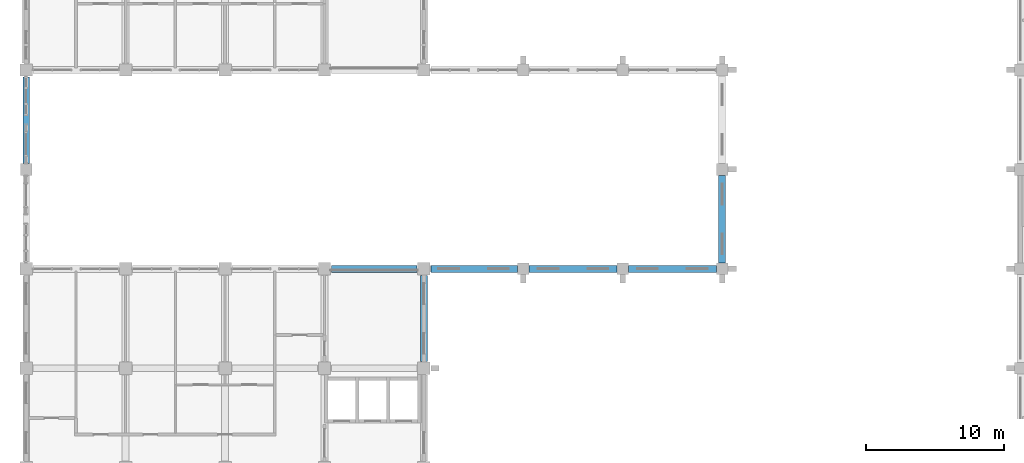
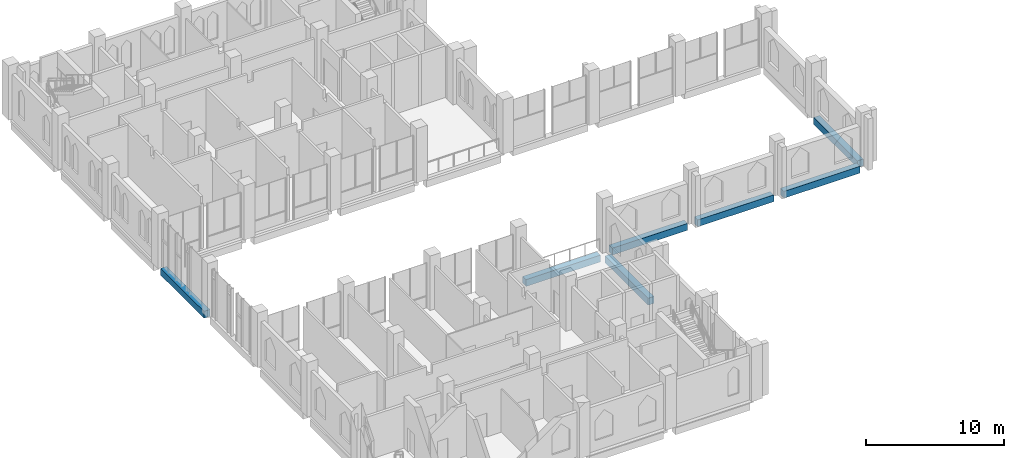
# One storey, part 6 of 40: 7 beams.
"""IFC4 building model written with IfcOpenShell, lengths in metres."""

from ifc_helpers import new_model, si_unit, direction, frame, origin, origin_2d, place, context, subcontext, project, spatial, rectangle, extrude, material, material_profile, profile_set, type_object, element, save


model = new_model("IFC4")

# Units and contexts
model_context = context("Model", 3, precision=1e-05, world=origin(), true_north=direction((0.0, 1.0)))
body_context = subcontext(model_context, "Body", "Model", "MODEL_VIEW")
ifc_project = project(units=[si_unit("LENGTHUNIT", "METRE"), si_unit("AREAUNIT", "SQUARE_METRE"), si_unit("VOLUMEUNIT", "CUBIC_METRE"), si_unit("PLANEANGLEUNIT", "RADIAN"), si_unit("MASSUNIT", "GRAM", prefix="KILO")], contexts=[model_context])

# Site, building, storey
site_placement = place(None, origin())
site = spatial("IfcSite", under=ifc_project, at=site_placement, CompositionType="ELEMENT")
building_placement = place(site_placement, origin())
building = spatial("IfcBuilding", under=site, at=building_placement, Name="Silangan Lancet Faculty of Sciences", CompositionType="ELEMENT")
storey_placement = place(building_placement, frame((0.0, 0.0, 16.800048828125)))
storey = spatial("IfcBuildingStorey", under=building, at=storey_placement, Name="L03", CompositionType="ELEMENT", Elevation=16.800048828125)

# Beams
ifc_material = material(Name="Concrete C40/50", Category="concrete")
ifc_material_profile = material_profile(ifc_material, rectangle(XDim=0.5, YDim=0.60009765625, at=origin_2d()), Name="RC 500x600")
ifc_profile_set = profile_set([ifc_material_profile], Name="Concrete C40/50")
beam_type = type_object("IfcBeamType", Name="BEAM RC 500x600", PredefinedType="BEAM", material=ifc_profile_set)
beam_1_placement = place(storey_placement, frame((22.10009765625, 21.60009765625, -0.550048828125), z_axis=(1.0, 0.0, 0.0), x_axis=(0.0, 1.0, 0.0)))
element("IfcBeam", 1, at=beam_1_placement, inside=storey, type_object=beam_type, Name="BM-L03-4D-5D", PredefinedType="BEAM", context=body_context, shape_type="SweptSolid", body=[
    extrude(rectangle(XDim=0.5, YDim=0.60009765625, at=origin_2d()), origin(), (0.0, 0.0, 1.0), 6.199951171875),
])
beam_2_placement = place(storey_placement, frame((29.300048828125, 21.60009765625, -0.300048828125), z_axis=(1.0, 0.0, 0.0), x_axis=(0.0, 1.0, 0.0)))
element("IfcBeam", 2, at=beam_2_placement, inside=storey, type_object=beam_type, Name="BM-L03-5D-6D", PredefinedType="BEAM", context=body_context, shape_type="SweptSolid", body=[
    extrude(rectangle(XDim=0.5, YDim=0.60009765625, at=origin_2d()), origin(), (0.0, 0.0, 1.0), 6.27490234375),
])
beam_3_placement = place(storey_placement, frame((36.425048828125, 21.60009765625, -0.300048828125), z_axis=(1.0, 0.0, 0.0), x_axis=(0.0, 1.0, 0.0)))
element("IfcBeam", 3, at=beam_3_placement, inside=storey, type_object=beam_type, Name="BM-L03-6D-7D", PredefinedType="BEAM", context=body_context, shape_type="SweptSolid", body=[
    extrude(rectangle(XDim=0.5, YDim=0.60009765625, at=origin_2d()), origin(), (0.0, 0.0, 1.0), 6.349853515625),
])
beam_4_placement = place(storey_placement, frame((43.625, 21.60009765625, -0.300048828125), z_axis=(1.0, 0.0, 0.0), x_axis=(0.0, 1.0, 0.0)))
element("IfcBeam", 4, at=beam_4_placement, inside=storey, type_object=beam_type, Name="BM-L03-7D-8D", PredefinedType="BEAM", context=body_context, shape_type="SweptSolid", body=[
    extrude(rectangle(XDim=0.5, YDim=0.60009765625, at=origin_2d()), origin(), (0.0, 0.0, 1.0), 6.35009765625),
])
beam_5_placement = place(storey_placement, frame((0.0, 29.22509765625, -0.300048828125), z_axis=(0.0, 1.0, 0.0), x_axis=(-1.0, 0.0, 0.0)))
element("IfcBeam", 5, at=beam_5_placement, inside=storey, type_object=beam_type, Name="BM-L03-1E-1F", PredefinedType="BEAM", context=body_context, shape_type="SweptSolid", body=[
    extrude(rectangle(XDim=0.5, YDim=0.60009765625, at=origin_2d()), origin(), (0.0, 0.0, 1.0), 6.27490234375),
])
beam_6_placement = place(storey_placement, frame((28.800048828125, 14.89990234375, -0.550048828125), z_axis=(0.0, 1.0, 0.0), x_axis=(-1.0, 0.0, 0.0)))
element("IfcBeam", 6, at=beam_6_placement, inside=storey, type_object=beam_type, Name="BM-L03-5C-5D", PredefinedType="BEAM", context=body_context, shape_type="SweptSolid", body=[
    extrude(rectangle(XDim=0.5, YDim=0.60009765625, at=origin_2d()), origin(), (0.0, 0.0, 1.0), 6.2001953125),
])
beam_7_placement = place(storey_placement, frame((50.39990234375, 22.02490234375, -0.300048828125), z_axis=(0.0, 1.0, 0.0), x_axis=(-1.0, 0.0, 0.0)))
element("IfcBeam", 7, at=beam_7_placement, inside=storey, type_object=beam_type, Name="BM-L03-8D-8E", PredefinedType="BEAM", context=body_context, shape_type="SweptSolid", body=[
    extrude(rectangle(XDim=0.5, YDim=0.60009765625, at=origin_2d()), origin(), (0.0, 0.0, 1.0), 6.35009765625),
])

save(model, "model.ifc")
